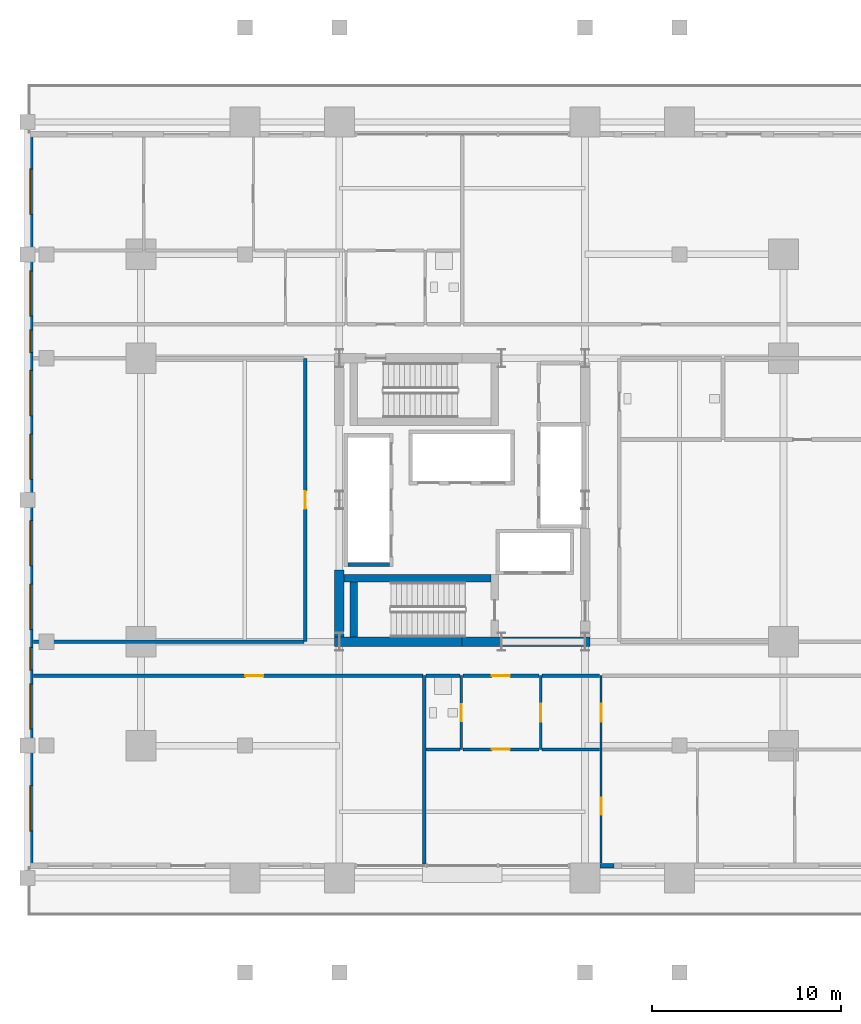
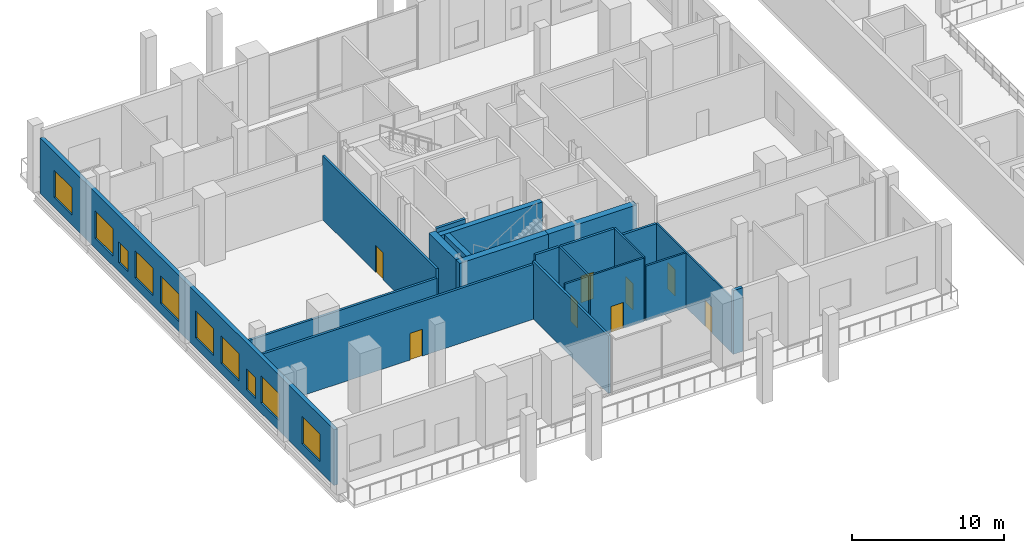
# One storey, part 11 of 22: 21 walls, 10 windows, 8 doors, 18 openings.
"""IFC4 building model written with IfcOpenShell, lengths in metres."""

from ifc_helpers import new_model, si_unit, direction, frame, frame_2d, origin, place, context, subcontext, project, spatial, rectangle, extrude, material, layer, layer_set, type_object, element, fill, save


model = new_model("IFC4")

# Units and contexts
model_context = context("Model", 3, precision=1e-05, world=origin(), true_north=direction((0.0, 1.0)))
body_context = subcontext(model_context, "Body", "Model", "MODEL_VIEW")
ifc_project = project(units=[si_unit("LENGTHUNIT", "METRE"), si_unit("AREAUNIT", "SQUARE_METRE"), si_unit("VOLUMEUNIT", "CUBIC_METRE"), si_unit("PLANEANGLEUNIT", "RADIAN"), si_unit("MASSUNIT", "GRAM", prefix="KILO")], contexts=[model_context])

# Site, building, storey
site_placement = place(None, origin())
site = spatial("IfcSite", under=ifc_project, at=site_placement, CompositionType="ELEMENT")
building_placement = place(site_placement, origin())
building = spatial("IfcBuilding", under=site, at=building_placement, Name="Barlavira Tower and Art Museum", CompositionType="ELEMENT")
storey_placement = place(building_placement, frame((0.0, 0.0, 16.800048828125)))
storey = spatial("IfcBuildingStorey", under=building, at=storey_placement, Name="L03", CompositionType="ELEMENT", Elevation=16.800048828125)

# Wall, opening, door
ifc_material_1 = material(Name="Gypsum acoustic stud partition", Category="gypsum")
ifc_layer_1 = layer(ifc_material_1, 0.1201171875, Name="Gypsum acoustic stud partition")
ifc_layer_set_1 = layer_set([ifc_layer_1], Name="Gypsum acoustic stud partition")
wall_type_1 = type_object("IfcWallType", Name="Apartment Internal Acoustic Partition 120", PredefinedType="PARTITIONING", material=ifc_layer_set_1)
wall_1_placement = place(storey_placement, frame((4.14990234375, -13.199951171875, 0.0), z_axis=(0.0, 0.0, 1.0), x_axis=(0.0, 1.0, 0.0)))
wall_1 = element("IfcWall", 1, at=wall_1_placement, inside=storey, type_object=wall_type_1, Name="L03 Partition Wall 11", PredefinedType="PARTITIONING", context=body_context, shape_type="SweptSolid", body=[
    extrude(rectangle(XDim=3.89990234375, YDim=0.1201171875, at=frame_2d((1.949951171875, 0.0))), origin(), (0.0, 0.0, 1.0), 5.119873046875),
])
opening_1_placement = place(wall_1_placement, frame((1.47509765625, 0.0, 0.0)))
opening_1 = element("IfcOpeningElement", 2, at=opening_1_placement, cuts=wall_1, Name="Opening D-02", PredefinedType="OPENING", context=body_context, shape_type="SweptSolid", body=[
    extrude(rectangle(XDim=0.949951171875, YDim=2.10009765625, at=frame_2d((0.47509765625, 1.050048828125))), frame((0.0, 0.070068359375, 0.0), z_axis=(0.0, -1.0, 0.0), x_axis=(1.0, 0.0, 0.0)), (0.0, 0.0, 1.0), 0.14013671875),
])
ifc_material_2 = material(Name="Engineered coastal hardwood", Category="wood")
door_type_1 = type_object("IfcDoorType", Name="Living and Salon Glazed-Leaf Door 950x2100", OperationType="NOTDEFINED", PredefinedType="DOOR", material=ifc_material_2)
door_1_placement = place(opening_1_placement, origin())
door_1 = element("IfcDoor", 3, at=door_1_placement, inside=storey, type_object=door_type_1, Name="Apartment P3-SE Kitchen Door", OperationType="SINGLE_SWING_RIGHT", OverallHeight=2.10009765625, OverallWidth=0.949951171875, PredefinedType="DOOR", context=body_context, shape_type="SweptSolid", body=[
    extrude(rectangle(XDim=0.949951171875, YDim=2.10009765625, at=frame_2d((0.47509765625, 1.050048828125))), frame((0.0, 0.02490234375, 0.0), z_axis=(0.0, -1.0, 0.0), x_axis=(1.0, 0.0, 0.0)), (0.0, 0.0, 1.0), 0.050048828125),
])
fill(opening_1, door_1)

# Wall, openings, doors
wall_2_placement = place(storey_placement, frame((7.35009765625, -19.219970703125, 0.0), z_axis=(0.0, 0.0, 1.0), x_axis=(0.0, 1.0, 0.0)))
wall_2 = element("IfcWall", 4, at=wall_2_placement, inside=storey, type_object=wall_type_1, Name="L03 Partition Wall 12", PredefinedType="PARTITIONING", context=body_context, shape_type="SweptSolid", body=[
    extrude(rectangle(XDim=9.919921875, YDim=0.1201171875, at=frame_2d((4.9599609375, 0.0))), origin(), (0.0, 0.0, 1.0), 4.409912109375),
])
opening_2_placement = place(wall_2_placement, frame((7.4951171875, 0.0, 0.0)))
opening_2 = element("IfcOpeningElement", 5, at=opening_2_placement, cuts=wall_2, Name="Opening D-02", PredefinedType="OPENING", context=body_context, shape_type="SweptSolid", body=[
    extrude(rectangle(XDim=0.949951171875, YDim=2.10009765625, at=frame_2d((0.47509765625, 1.050048828125))), frame((0.0, 0.070068359375, 0.0), z_axis=(0.0, -1.0, 0.0), x_axis=(1.0, 0.0, 0.0)), (0.0, 0.0, 1.0), 0.14013671875),
])
opening_3_placement = place(wall_2_placement, frame((2.570068359375, 0.0, 0.0)))
opening_3 = element("IfcOpeningElement", 6, at=opening_3_placement, cuts=wall_2, Name="Opening D-01", PredefinedType="OPENING", context=body_context, shape_type="SweptSolid", body=[
    extrude(rectangle(XDim=0.89990234375, YDim=2.10009765625, at=frame_2d((0.449951171875, 1.050048828125))), frame((0.0, 0.070068359375, 0.0), z_axis=(0.0, -1.0, 0.0), x_axis=(1.0, 0.0, 0.0)), (0.0, 0.0, 1.0), 0.14013671875),
])
door_type_2 = type_object("IfcDoorType", Name="Internal Bedroom Timber Flush Door 900x2100", OperationType="NOTDEFINED", PredefinedType="DOOR", material=ifc_material_2)
door_2_placement = place(opening_3_placement, origin())
door_2 = element("IfcDoor", 7, at=door_2_placement, inside=storey, type_object=door_type_2, Name="Apartment P3-SE Bedroom 1 Door", OperationType="SINGLE_SWING_LEFT", OverallHeight=2.10009765625, OverallWidth=0.89990234375, PredefinedType="DOOR", context=body_context, shape_type="SweptSolid", body=[
    extrude(rectangle(XDim=0.89990234375, YDim=2.10009765625, at=frame_2d((0.449951171875, 1.050048828125))), frame((0.0, 0.02490234375, 0.0), z_axis=(0.0, -1.0, 0.0), x_axis=(1.0, 0.0, 0.0)), (0.0, 0.0, 1.0), 0.050048828125),
])
fill(opening_3, door_2)
door_3_placement = place(opening_2_placement, origin())
door_3 = element("IfcDoor", 8, at=door_3_placement, inside=storey, type_object=door_type_1, Name="Apartment P3-SE Dining Salon Door", OperationType="SINGLE_SWING_LEFT", OverallHeight=2.10009765625, OverallWidth=0.949951171875, PredefinedType="DOOR", context=body_context, shape_type="SweptSolid", body=[
    extrude(rectangle(XDim=0.949951171875, YDim=2.10009765625, at=frame_2d((0.47509765625, 1.050048828125))), frame((0.0, 0.02490234375, 0.0), z_axis=(0.0, -1.0, 0.0), x_axis=(1.0, 0.0, 0.0)), (0.0, 0.0, 1.0), 0.050048828125),
])
fill(opening_2, door_3)

# Walls
ifc_material_3 = material(Name="Concrete C60", Category="concrete")
ifc_layer_2 = layer(ifc_material_3, 0.5, Name="Concrete C60")
ifc_layer_set_2 = layer_set([ifc_layer_2], Name="Concrete C60")
wall_type_2 = type_object("IfcWallType", Name="Core Structural Shear Wall 500 Concrete C60", PredefinedType="SHEAR", material=ifc_layer_set_2)
for number, where, z_axis, x_axis, name in (
    (9, (-6.75, -7.5, 0.0), (0.0, 0.0, 1.0), (1.0, 0.0, 0.0), "L03 Core Shear Wall CS-SW"),
    (10, (0.0, -7.5, 0.0), (0.0, 0.0, 1.0), (1.0, 0.0, 0.0), "L03 Core Shear Wall CS-SE"),
):
    element("IfcWall", number, at=place(storey_placement, frame(where, z_axis=z_axis, x_axis=x_axis)), inside=storey, type_object=wall_type_2, Name=name, PredefinedType="SHEAR", context=body_context, shape_type="SweptSolid", body=[
        extrude(rectangle(XDim=6.75, YDim=0.5, at=frame_2d((3.375, 0.0))), origin(), (0.0, 0.0, 1.0), 5.119873046875),
    ])
wall_3_placement = place(storey_placement, frame((-6.5, -7.25, 0.0), z_axis=(0.0, 0.0, 1.0), x_axis=(0.0, 1.0, 0.0)))
element("IfcWall", 11, at=wall_3_placement, inside=storey, type_object=wall_type_2, Name="L03 Core Shear Wall CS-W1", PredefinedType="SHEAR", context=body_context, shape_type="SweptSolid", body=[
    extrude(rectangle(XDim=3.550048828125, YDim=0.5, at=frame_2d((1.77490234375, 0.0))), origin(), (0.0, 0.0, 1.0), 5.119873046875),
])
ifc_material_4 = material(Name="Autoclaved aerated concrete masonry", Category="masonry")
ifc_layer_3 = layer(ifc_material_4, 0.199951171875, Name="Autoclaved aerated concrete masonry")
ifc_layer_set_3 = layer_set([ifc_layer_3], Name="Autoclaved aerated concrete masonry")
wall_type_3 = type_object("IfcWallType", Name="Fire Compartment and Shaft Wall 200", PredefinedType="SOLIDWALL", material=ifc_layer_set_3)
wall_4_placement = place(storey_placement, frame((-6.050048828125, -3.409912109375, 0.0), z_axis=(0.0, 0.0, 1.0), x_axis=(1.0, 0.0, 0.0)))
element("IfcWall", 12, at=wall_4_placement, inside=storey, type_object=wall_type_3, Name="L03 Low-Rise Lift South Shaft Wall", PredefinedType="SOLIDWALL", context=body_context, shape_type="SweptSolid", body=[
    extrude(rectangle(XDim=2.199951171875, YDim=0.199951171875, at=frame_2d((1.10009765625, 0.0))), origin(), (0.0, 0.0, 1.0), 5.119873046875),
])

# Wall, opening, door
ifc_layer_4 = layer(ifc_material_1, 0.179931640625, Name="Gypsum acoustic stud partition")
ifc_layer_set_4 = layer_set([ifc_layer_4], Name="Gypsum acoustic stud partition")
wall_type_4 = type_object("IfcWallType", Name="Inter-Tenancy Party Partition Wall 180", PredefinedType="PARTITIONING", material=ifc_layer_set_4)
wall_5_placement = place(storey_placement, frame((-8.300048828125, -7.5, 0.0), z_axis=(0.0, 0.0, 1.0), x_axis=(0.0, 1.0, 0.0)))
wall_5 = element("IfcWall", 13, at=wall_5_placement, inside=storey, type_object=wall_type_4, Name="L03 Partition Wall 4", PredefinedType="PARTITIONING", context=body_context, shape_type="SweptSolid", body=[
    extrude(rectangle(XDim=15.0, YDim=0.179931640625, at=frame_2d((7.5, 0.0))), origin(), (0.0, 0.0, 1.0), 5.119873046875),
])
opening_4_placement = place(wall_5_placement, frame((7.02490234375, 0.0, 0.0)))
opening_4 = element("IfcOpeningElement", 14, at=opening_4_placement, cuts=wall_5, Name="Opening FD-60", PredefinedType="OPENING", context=body_context, shape_type="SweptSolid", body=[
    extrude(rectangle(XDim=0.949951171875, YDim=2.14990234375, at=frame_2d((0.47509765625, 1.074951171875))), frame((0.0, 0.10009765625, 0.0), z_axis=(0.0, -1.0, 0.0), x_axis=(1.0, 0.0, 0.0)), (0.0, 0.0, 1.0), 0.199951171875),
])
ifc_material_5 = material(Name="Brushed stainless steel", Category="steel")
door_type_3 = type_object("IfcDoorType", Name="Apartment Entrance and Riser Fire Door 950x2150 FD60S", OperationType="NOTDEFINED", PredefinedType="DOOR", material=ifc_material_5)
door_4_placement = place(opening_4_placement, origin())
door_4 = element("IfcDoor", 15, at=door_4_placement, inside=storey, type_object=door_type_3, Name="L03 West Ocean-View Lounge Door", OperationType="SINGLE_SWING_RIGHT", OverallHeight=2.14990234375, OverallWidth=0.949951171875, PredefinedType="DOOR", context=body_context, shape_type="SweptSolid", body=[
    extrude(rectangle(XDim=0.949951171875, YDim=2.14990234375, at=frame_2d((0.47509765625, 1.074951171875))), frame((0.0, 0.02490234375, 0.0), z_axis=(0.0, -1.0, 0.0), x_axis=(1.0, 0.0, 0.0)), (0.0, 0.0, 1.0), 0.050048828125),
])
fill(opening_4, door_4)

# Wall
wall_6_placement = place(storey_placement, frame((-2.0, -19.2548828125, 0.0), z_axis=(0.0, 0.0, 1.0), x_axis=(0.0, 1.0, 0.0)))
element("IfcWall", 16, at=wall_6_placement, inside=storey, type_object=wall_type_4, Name="L03 Partition Wall 6", PredefinedType="PARTITIONING", context=body_context, shape_type="SweptSolid", body=[
    extrude(rectangle(XDim=9.954833984375, YDim=0.179931640625, at=frame_2d((4.9775390625, 0.0))), origin(), (0.0, 0.0, 1.0), 4.641845703125),
])

# Wall, opening, door
wall_7_placement = place(storey_placement, frame((-22.695068359375, -9.300048828125, 0.0), z_axis=(0.0, 0.0, 1.0), x_axis=(1.0, 0.0, 0.0)))
wall_7 = element("IfcWall", 17, at=wall_7_placement, inside=storey, type_object=wall_type_4, Name="L03 Partition Wall 31", PredefinedType="PARTITIONING", context=body_context, shape_type="SweptSolid", body=[
    extrude(rectangle(XDim=20.614990234375, YDim=0.179931640625, at=frame_2d((10.3076171875, 0.0))), origin(), (0.0, 0.0, 1.0), 4.409912109375),
])
opening_5_placement = place(wall_7_placement, frame((11.219970703125, 0.0, 0.0)))
opening_5 = element("IfcOpeningElement", 18, at=opening_5_placement, cuts=wall_7, Name="Opening FD-60", PredefinedType="OPENING", context=body_context, shape_type="SweptSolid", body=[
    extrude(rectangle(XDim=0.949951171875, YDim=2.14990234375, at=frame_2d((0.47509765625, 1.074951171875))), frame((0.0, 0.10009765625, 0.0), z_axis=(0.0, -1.0, 0.0), x_axis=(1.0, 0.0, 0.0)), (0.0, 0.0, 1.0), 0.199951171875),
])
door_5_placement = place(opening_5_placement, origin())
door_5 = element("IfcDoor", 19, at=door_5_placement, inside=storey, type_object=door_type_3, Name="Cascade Garden Architecture Reading Library Door", OperationType="SINGLE_SWING_LEFT", OverallHeight=2.14990234375, OverallWidth=0.949951171875, PredefinedType="DOOR", context=body_context, shape_type="SweptSolid", body=[
    extrude(rectangle(XDim=0.949951171875, YDim=2.14990234375, at=frame_2d((0.47509765625, 1.074951171875))), frame((0.0, 0.02490234375, 0.0), z_axis=(0.0, -1.0, 0.0), x_axis=(1.0, 0.0, 0.0)), (0.0, 0.0, 1.0), 0.050048828125),
])
fill(opening_5, door_5)

# Wall
wall_8_placement = place(storey_placement, frame((-1.919921875, -9.300048828125, 0.0), z_axis=(0.0, 0.0, 1.0), x_axis=(1.0, 0.0, 0.0)))
element("IfcWall", 20, at=wall_8_placement, inside=storey, type_object=wall_type_4, Name="L03 Partition Wall 32", PredefinedType="PARTITIONING", context=body_context, shape_type="SweptSolid", body=[
    extrude(rectangle(XDim=1.7900390625, YDim=0.179931640625, at=frame_2d((0.89501953125, 0.0))), origin(), (0.0, 0.0, 1.0), 5.119873046875),
])

# Wall, opening, door
wall_9_placement = place(storey_placement, frame((0.030029296875, -9.300048828125, 0.0), z_axis=(0.0, 0.0, 1.0), x_axis=(1.0, 0.0, 0.0)))
wall_9 = element("IfcWall", 21, at=wall_9_placement, inside=storey, type_object=wall_type_4, Name="L03 Partition Wall 33", PredefinedType="PARTITIONING", context=body_context, shape_type="SweptSolid", body=[
    extrude(rectangle(XDim=4.0400390625, YDim=0.179931640625, at=frame_2d((2.02001953125, 0.0))), origin(), (0.0, 0.0, 1.0), 5.119873046875),
])
opening_6_placement = place(wall_9_placement, frame((1.544921875, 0.0, 0.0)))
opening_6 = element("IfcOpeningElement", 22, at=opening_6_placement, cuts=wall_9, Name="Opening FD-60", PredefinedType="OPENING", context=body_context, shape_type="SweptSolid", body=[
    extrude(rectangle(XDim=0.949951171875, YDim=2.14990234375, at=frame_2d((0.47509765625, 1.074951171875))), frame((0.0, 0.10009765625, 0.0), z_axis=(0.0, -1.0, 0.0), x_axis=(1.0, 0.0, 0.0)), (0.0, 0.0, 1.0), 0.199951171875),
])
door_6_placement = place(opening_6_placement, origin())
door_6 = element("IfcDoor", 23, at=door_6_placement, inside=storey, type_object=door_type_3, Name="Apartment Entrance Hall P3-SE Door", OperationType="SINGLE_SWING_LEFT", OverallHeight=2.14990234375, OverallWidth=0.949951171875, PredefinedType="DOOR", context=body_context, shape_type="SweptSolid", body=[
    extrude(rectangle(XDim=0.949951171875, YDim=2.14990234375, at=frame_2d((0.47509765625, 1.074951171875))), frame((0.0, 0.02490234375, 0.0), z_axis=(0.0, -1.0, 0.0), x_axis=(1.0, 0.0, 0.0)), (0.0, 0.0, 1.0), 0.050048828125),
])
fill(opening_6, door_6)

# Walls
wall_10_placement = place(storey_placement, frame((4.22998046875, -9.300048828125, 0.0), z_axis=(0.0, 0.0, 1.0), x_axis=(1.0, 0.0, 0.0)))
element("IfcWall", 24, at=wall_10_placement, inside=storey, type_object=wall_type_4, Name="L03 Partition Wall 34", PredefinedType="PARTITIONING", context=body_context, shape_type="SweptSolid", body=[
    extrude(rectangle(XDim=3.0400390625, YDim=0.179931640625, at=frame_2d((1.52001953125, 0.0))), origin(), (0.0, 0.0, 1.0), 4.409912109375),
])
wall_11_placement = place(storey_placement, frame((-22.695068359375, -7.5, 0.0), z_axis=(0.0, 0.0, 1.0), x_axis=(1.0, 0.0, 0.0)))
element("IfcWall", 25, at=wall_11_placement, inside=storey, type_object=wall_type_4, Name="L03 Partition Wall 36", PredefinedType="PARTITIONING", context=body_context, shape_type="SweptSolid", body=[
    extrude(rectangle(XDim=14.315185546875, YDim=0.179931640625, at=frame_2d((7.15771484375, 0.0))), origin(), (0.0, 0.0, 1.0), 4.409912109375),
])

# Wall, opening, door
ifc_layer_5 = layer(ifc_material_1, 0.139892578125, Name="Gypsum acoustic stud partition")
ifc_layer_set_5 = layer_set([ifc_layer_5], Name="Gypsum acoustic stud partition")
wall_type_5 = type_object("IfcWallType", Name="Moisture-Resistant Bathroom Partition 140", PredefinedType="PARTITIONING", material=ifc_layer_set_5)
wall_12_placement = place(storey_placement, frame((-0.050048828125, -13.199951171875, 0.0), z_axis=(0.0, 0.0, 1.0), x_axis=(0.0, 1.0, 0.0)))
wall_12 = element("IfcWall", 26, at=wall_12_placement, inside=storey, type_object=wall_type_5, Name="L03 Partition Wall 8", PredefinedType="PARTITIONING", context=body_context, shape_type="SweptSolid", body=[
    extrude(rectangle(XDim=3.89990234375, YDim=0.139892578125, at=frame_2d((1.949951171875, 0.0))), origin(), (0.0, 0.0, 1.0), 5.119873046875),
])
opening_7_placement = place(wall_12_placement, frame((1.5, 0.0, 0.0)))
opening_7 = element("IfcOpeningElement", 27, at=opening_7_placement, cuts=wall_12, Name="Opening D-WC", PredefinedType="OPENING", context=body_context, shape_type="SweptSolid", body=[
    extrude(rectangle(XDim=0.89990234375, YDim=2.10009765625, at=frame_2d((0.449951171875, 1.050048828125))), frame((0.0, 0.080078125, 0.0), z_axis=(0.0, -1.0, 0.0), x_axis=(1.0, 0.0, 0.0)), (0.0, 0.0, 1.0), 0.159912109375),
])
door_type_4 = type_object("IfcDoorType", Name="Accessible Bathroom Flush Door 900x2100", OperationType="NOTDEFINED", PredefinedType="DOOR", material=ifc_material_2)
door_7_placement = place(opening_7_placement, origin())
door_7 = element("IfcDoor", 28, at=door_7_placement, inside=storey, type_object=door_type_4, Name="Apartment P3-SE Hall Bathroom Door", OperationType="SINGLE_SWING_RIGHT", OverallHeight=2.10009765625, OverallWidth=0.89990234375, PredefinedType="DOOR", context=body_context, shape_type="SweptSolid", body=[
    extrude(rectangle(XDim=0.89990234375, YDim=2.10009765625, at=frame_2d((0.449951171875, 1.050048828125))), frame((0.0, 0.02490234375, 0.0), z_axis=(0.0, -1.0, 0.0), x_axis=(1.0, 0.0, 0.0)), (0.0, 0.0, 1.0), 0.050048828125),
])
fill(opening_7, door_7)

# Wall
wall_13_placement = place(storey_placement, frame((-1.919921875, -13.199951171875, 0.0), z_axis=(0.0, 0.0, 1.0), x_axis=(1.0, 0.0, 0.0)))
element("IfcWall", 29, at=wall_13_placement, inside=storey, type_object=wall_type_5, Name="L03 Partition Wall 24", PredefinedType="PARTITIONING", context=body_context, shape_type="SweptSolid", body=[
    extrude(rectangle(XDim=1.7900390625, YDim=0.139892578125, at=frame_2d((0.89501953125, 0.0))), origin(), (0.0, 0.0, 1.0), 5.119873046875),
])

# Wall, opening, door
wall_14_placement = place(storey_placement, frame((0.030029296875, -13.199951171875, 0.0), z_axis=(0.0, 0.0, 1.0), x_axis=(1.0, 0.0, 0.0)))
wall_14 = element("IfcWall", 30, at=wall_14_placement, inside=storey, type_object=wall_type_5, Name="L03 Partition Wall 25", PredefinedType="PARTITIONING", context=body_context, shape_type="SweptSolid", body=[
    extrude(rectangle(XDim=4.0400390625, YDim=0.139892578125, at=frame_2d((2.02001953125, 0.0))), origin(), (0.0, 0.0, 1.0), 5.119873046875),
])
opening_8_placement = place(wall_14_placement, frame((1.544921875, 0.0, 0.0)))
opening_8 = element("IfcOpeningElement", 31, at=opening_8_placement, cuts=wall_14, Name="Opening D-02", PredefinedType="OPENING", context=body_context, shape_type="SweptSolid", body=[
    extrude(rectangle(XDim=0.949951171875, YDim=2.10009765625, at=frame_2d((0.47509765625, 1.050048828125))), frame((0.0, 0.080078125, 0.0), z_axis=(0.0, -1.0, 0.0), x_axis=(1.0, 0.0, 0.0)), (0.0, 0.0, 1.0), 0.159912109375),
])
door_8_placement = place(opening_8_placement, origin())
door_8 = element("IfcDoor", 32, at=door_8_placement, inside=storey, type_object=door_type_1, Name="Apartment P3-SE Living Lounge Door", OperationType="SINGLE_SWING_RIGHT", OverallHeight=2.10009765625, OverallWidth=0.949951171875, PredefinedType="DOOR", context=body_context, shape_type="SweptSolid", body=[
    extrude(rectangle(XDim=0.949951171875, YDim=2.10009765625, at=frame_2d((0.47509765625, 1.050048828125))), frame((0.0, 0.02490234375, 0.0), z_axis=(0.0, -1.0, 0.0), x_axis=(1.0, 0.0, 0.0)), (0.0, 0.0, 1.0), 0.050048828125),
])
fill(opening_8, door_8)

# Walls
wall_15_placement = place(storey_placement, frame((4.22998046875, -13.199951171875, 0.0), z_axis=(0.0, 0.0, 1.0), x_axis=(1.0, 0.0, 0.0)))
element("IfcWall", 33, at=wall_15_placement, inside=storey, type_object=wall_type_5, Name="L03 Partition Wall 26", PredefinedType="PARTITIONING", context=body_context, shape_type="SweptSolid", body=[
    extrude(rectangle(XDim=3.0400390625, YDim=0.139892578125, at=frame_2d((1.52001953125, 0.0))), origin(), (0.0, 0.0, 1.0), 4.409912109375),
])
ifc_material_6 = material(Name="Precast concrete C40", Category="concrete")
ifc_layer_6 = layer(ifc_material_6, 0.25, Name="Precast concrete C40")
ifc_layer_set_6 = layer_set([ifc_layer_6], Name="Precast concrete C40")
wall_type_6 = type_object("IfcWallType", Name="Notched Corner Spandrel Wall 250 Precast Concrete C40", PredefinedType="SOLIDWALL", material=ifc_layer_set_6)
wall_16_placement = place(storey_placement, frame((7.294921875, -19.35009765625, 0.0), z_axis=(0.0, 0.0, 1.0), x_axis=(1.0, 0.0, 0.0)))
element("IfcWall", 34, at=wall_16_placement, inside=storey, type_object=wall_type_6, Name="L03 Coastal Facade Pier Wall CW1-L03-S-3", PredefinedType="SOLIDWALL", context=body_context, shape_type="SweptSolid", body=[
    extrude(rectangle(XDim=0.72998046875, YDim=0.25, at=frame_2d((0.364990234375, 0.0))), origin(), (0.0, 0.0, 1.0), 5.119873046875),
])

# Wall, openings, windows
ifc_layer_7 = layer(ifc_material_6, 0.300048828125, Name="Precast concrete C40")
ifc_layer_set_7 = layer_set([ifc_layer_7], Name="Precast concrete C40")
wall_type_7 = type_object("IfcWallType", Name="Podium Architectural Precast Facade Wall 300 Concrete C40", PredefinedType="SOLIDWALL", material=ifc_layer_set_7)
wall_17_placement = place(storey_placement, frame((-22.85009765625, 19.35009765625, 0.0), z_axis=(0.0, 0.0, 1.0), x_axis=(0.0, -1.0, 0.0)))
wall_17 = element("IfcWall", 35, at=wall_17_placement, inside=storey, type_object=wall_type_7, Name="L03 Podium West Facade Wall", PredefinedType="SOLIDWALL", context=body_context, shape_type="SweptSolid", body=[
    extrude(rectangle(XDim=38.7001953125, YDim=0.300048828125, at=frame_2d((19.35009765625, 0.0))), origin(), (0.0, 0.0, 1.0), 4.475830078125),
])
opening_9_placement = place(wall_17_placement, frame((1.830078125, 0.0, 0.800048828125)))
opening_9 = element("IfcOpeningElement", 36, at=opening_9_placement, cuts=wall_17, Name="Opening WN-02", PredefinedType="OPENING", context=body_context, shape_type="SweptSolid", body=[
    extrude(rectangle(XDim=2.39990234375, YDim=2.199951171875, at=frame_2d((1.199951171875, 1.10009765625))), frame((0.0, 0.16015625, 0.0), z_axis=(0.0, -1.0, 0.0), x_axis=(1.0, 0.0, 0.0)), (0.0, 0.0, 1.0), 0.320068359375),
])
opening_10_placement = place(wall_17_placement, frame((7.219970703125, 0.0, 0.800048828125)))
opening_10 = element("IfcOpeningElement", 37, at=opening_10_placement, cuts=wall_17, Name="Opening WN-02", PredefinedType="OPENING", context=body_context, shape_type="SweptSolid", body=[
    extrude(rectangle(XDim=2.39990234375, YDim=2.199951171875, at=frame_2d((1.199951171875, 1.10009765625))), frame((0.0, 0.16015625, 0.0), z_axis=(0.0, -1.0, 0.0), x_axis=(1.0, 0.0, 0.0)), (0.0, 0.0, 1.0), 0.320068359375),
])
opening_11_placement = place(wall_17_placement, frame((10.35009765625, 0.0, 0.719970703125)))
opening_11 = element("IfcOpeningElement", 38, at=opening_11_placement, cuts=wall_17, Name="Opening WN-05", PredefinedType="OPENING", context=body_context, shape_type="SweptSolid", body=[
    extrude(rectangle(XDim=1.199951171875, YDim=1.679931640625, at=frame_2d((0.60009765625, 0.83984375))), frame((0.0, 0.16015625, 0.0), z_axis=(0.0, -1.0, 0.0), x_axis=(1.0, 0.0, 0.0)), (0.0, 0.0, 1.0), 0.320068359375),
])
opening_12_placement = place(wall_17_placement, frame((12.4951171875, 0.0, 0.800048828125)))
opening_12 = element("IfcOpeningElement", 39, at=opening_12_placement, cuts=wall_17, Name="Opening WN-02", PredefinedType="OPENING", context=body_context, shape_type="SweptSolid", body=[
    extrude(rectangle(XDim=2.39990234375, YDim=2.199951171875, at=frame_2d((1.199951171875, 1.10009765625))), frame((0.0, 0.16015625, 0.0), z_axis=(0.0, -1.0, 0.0), x_axis=(1.0, 0.0, 0.0)), (0.0, 0.0, 1.0), 0.320068359375),
])
opening_13_placement = place(wall_17_placement, frame((15.864990234375, 0.0, 0.800048828125)))
opening_13 = element("IfcOpeningElement", 40, at=opening_13_placement, cuts=wall_17, Name="Opening WN-02", PredefinedType="OPENING", context=body_context, shape_type="SweptSolid", body=[
    extrude(rectangle(XDim=2.39990234375, YDim=2.199951171875, at=frame_2d((1.199951171875, 1.10009765625))), frame((0.0, 0.16015625, 0.0), z_axis=(0.0, -1.0, 0.0), x_axis=(1.0, 0.0, 0.0)), (0.0, 0.0, 1.0), 0.320068359375),
])
opening_14_placement = place(wall_17_placement, frame((20.43505859375, 0.0, 0.800048828125)))
opening_14 = element("IfcOpeningElement", 41, at=opening_14_placement, cuts=wall_17, Name="Opening WN-02", PredefinedType="OPENING", context=body_context, shape_type="SweptSolid", body=[
    extrude(rectangle(XDim=2.39990234375, YDim=2.199951171875, at=frame_2d((1.199951171875, 1.10009765625))), frame((0.0, 0.16015625, 0.0), z_axis=(0.0, -1.0, 0.0), x_axis=(1.0, 0.0, 0.0)), (0.0, 0.0, 1.0), 0.320068359375),
])
opening_15_placement = place(wall_17_placement, frame((23.804931640625, 0.0, 0.800048828125)))
opening_15 = element("IfcOpeningElement", 42, at=opening_15_placement, cuts=wall_17, Name="Opening WN-02", PredefinedType="OPENING", context=body_context, shape_type="SweptSolid", body=[
    extrude(rectangle(XDim=2.39990234375, YDim=2.199951171875, at=frame_2d((1.199951171875, 1.10009765625))), frame((0.0, 0.16015625, 0.0), z_axis=(0.0, -1.0, 0.0), x_axis=(1.0, 0.0, 0.0)), (0.0, 0.0, 1.0), 0.320068359375),
])
opening_16_placement = place(wall_17_placement, frame((27.14990234375, 0.0, 0.719970703125)))
opening_16 = element("IfcOpeningElement", 43, at=opening_16_placement, cuts=wall_17, Name="Opening WN-05", PredefinedType="OPENING", context=body_context, shape_type="SweptSolid", body=[
    extrude(rectangle(XDim=1.199951171875, YDim=1.679931640625, at=frame_2d((0.60009765625, 0.83984375))), frame((0.0, 0.16015625, 0.0), z_axis=(0.0, -1.0, 0.0), x_axis=(1.0, 0.0, 0.0)), (0.0, 0.0, 1.0), 0.320068359375),
])
opening_17_placement = place(wall_17_placement, frame((29.080078125, 0.0, 0.800048828125)))
opening_17 = element("IfcOpeningElement", 44, at=opening_17_placement, cuts=wall_17, Name="Opening WN-02", PredefinedType="OPENING", context=body_context, shape_type="SweptSolid", body=[
    extrude(rectangle(XDim=2.39990234375, YDim=2.199951171875, at=frame_2d((1.199951171875, 1.10009765625))), frame((0.0, 0.16015625, 0.0), z_axis=(0.0, -1.0, 0.0), x_axis=(1.0, 0.0, 0.0)), (0.0, 0.0, 1.0), 0.320068359375),
])
opening_18_placement = place(wall_17_placement, frame((34.469970703125, 0.0, 0.800048828125)))
opening_18 = element("IfcOpeningElement", 45, at=opening_18_placement, cuts=wall_17, Name="Opening WN-02", PredefinedType="OPENING", context=body_context, shape_type="SweptSolid", body=[
    extrude(rectangle(XDim=2.39990234375, YDim=2.199951171875, at=frame_2d((1.199951171875, 1.10009765625))), frame((0.0, 0.16015625, 0.0), z_axis=(0.0, -1.0, 0.0), x_axis=(1.0, 0.0, 0.0)), (0.0, 0.0, 1.0), 0.320068359375),
])
ifc_material_7 = material(Name="Low-iron coastal laminated glass", Category="glass")
window_type_1 = type_object("IfcWindowType", Name="Podium Garden Gallery Window 2400x2200", PartitioningType="SINGLE_PANEL", PredefinedType="WINDOW", material=ifc_material_7)
window_1_placement = place(opening_9_placement, origin())
window_1 = element("IfcWindow", 46, at=window_1_placement, inside=storey, type_object=window_type_1, Name="L03 Punched Facade Window EW-L03-W-1", OverallHeight=2.199951171875, OverallWidth=2.39990234375, PartitioningType="SINGLE_PANEL", PredefinedType="WINDOW", context=body_context, shape_type="SweptSolid", body=[
    extrude(rectangle(XDim=2.39990234375, YDim=2.199951171875, at=frame_2d((1.199951171875, 1.10009765625))), frame((0.0, 0.030029296875, 0.0), z_axis=(0.0, -1.0, 0.0), x_axis=(1.0, 0.0, 0.0)), (0.0, 0.0, 1.0), 0.06005859375),
])
fill(opening_9, window_1)
window_2_placement = place(opening_10_placement, origin())
window_2 = element("IfcWindow", 47, at=window_2_placement, inside=storey, type_object=window_type_1, Name="L03 Punched Facade Window EW-L03-W-2", OverallHeight=2.199951171875, OverallWidth=2.39990234375, PartitioningType="SINGLE_PANEL", PredefinedType="WINDOW", context=body_context, shape_type="SweptSolid", body=[
    extrude(rectangle(XDim=2.39990234375, YDim=2.199951171875, at=frame_2d((1.199951171875, 1.10009765625))), frame((0.0, 0.030029296875, 0.0), z_axis=(0.0, -1.0, 0.0), x_axis=(1.0, 0.0, 0.0)), (0.0, 0.0, 1.0), 0.06005859375),
])
fill(opening_10, window_2)
window_3_placement = place(opening_12_placement, origin())
window_3 = element("IfcWindow", 48, at=window_3_placement, inside=storey, type_object=window_type_1, Name="L03 Punched Facade Window EW-L03-W-4", OverallHeight=2.199951171875, OverallWidth=2.39990234375, PartitioningType="SINGLE_PANEL", PredefinedType="WINDOW", context=body_context, shape_type="SweptSolid", body=[
    extrude(rectangle(XDim=2.39990234375, YDim=2.199951171875, at=frame_2d((1.199951171875, 1.10009765625))), frame((0.0, 0.030029296875, 0.0), z_axis=(0.0, -1.0, 0.0), x_axis=(1.0, 0.0, 0.0)), (0.0, 0.0, 1.0), 0.06005859375),
])
fill(opening_12, window_3)
window_4_placement = place(opening_13_placement, origin())
window_4 = element("IfcWindow", 49, at=window_4_placement, inside=storey, type_object=window_type_1, Name="L03 Punched Facade Window EW-L03-W-5", OverallHeight=2.199951171875, OverallWidth=2.39990234375, PartitioningType="SINGLE_PANEL", PredefinedType="WINDOW", context=body_context, shape_type="SweptSolid", body=[
    extrude(rectangle(XDim=2.39990234375, YDim=2.199951171875, at=frame_2d((1.199951171875, 1.10009765625))), frame((0.0, 0.030029296875, 0.0), z_axis=(0.0, -1.0, 0.0), x_axis=(1.0, 0.0, 0.0)), (0.0, 0.0, 1.0), 0.06005859375),
])
fill(opening_13, window_4)
window_5_placement = place(opening_14_placement, origin())
window_5 = element("IfcWindow", 50, at=window_5_placement, inside=storey, type_object=window_type_1, Name="L03 Punched Facade Window EW-L03-W-6", OverallHeight=2.199951171875, OverallWidth=2.39990234375, PartitioningType="SINGLE_PANEL", PredefinedType="WINDOW", context=body_context, shape_type="SweptSolid", body=[
    extrude(rectangle(XDim=2.39990234375, YDim=2.199951171875, at=frame_2d((1.199951171875, 1.10009765625))), frame((0.0, 0.030029296875, 0.0), z_axis=(0.0, -1.0, 0.0), x_axis=(1.0, 0.0, 0.0)), (0.0, 0.0, 1.0), 0.06005859375),
])
fill(opening_14, window_5)
window_6_placement = place(opening_15_placement, origin())
window_6 = element("IfcWindow", 51, at=window_6_placement, inside=storey, type_object=window_type_1, Name="L03 Punched Facade Window EW-L03-W-7", OverallHeight=2.199951171875, OverallWidth=2.39990234375, PartitioningType="SINGLE_PANEL", PredefinedType="WINDOW", context=body_context, shape_type="SweptSolid", body=[
    extrude(rectangle(XDim=2.39990234375, YDim=2.199951171875, at=frame_2d((1.199951171875, 1.10009765625))), frame((0.0, 0.030029296875, 0.0), z_axis=(0.0, -1.0, 0.0), x_axis=(1.0, 0.0, 0.0)), (0.0, 0.0, 1.0), 0.06005859375),
])
fill(opening_15, window_6)
window_7_placement = place(opening_17_placement, origin())
window_7 = element("IfcWindow", 52, at=window_7_placement, inside=storey, type_object=window_type_1, Name="L03 Punched Facade Window EW-L03-W-9", OverallHeight=2.199951171875, OverallWidth=2.39990234375, PartitioningType="SINGLE_PANEL", PredefinedType="WINDOW", context=body_context, shape_type="SweptSolid", body=[
    extrude(rectangle(XDim=2.39990234375, YDim=2.199951171875, at=frame_2d((1.199951171875, 1.10009765625))), frame((0.0, 0.030029296875, 0.0), z_axis=(0.0, -1.0, 0.0), x_axis=(1.0, 0.0, 0.0)), (0.0, 0.0, 1.0), 0.06005859375),
])
fill(opening_17, window_7)
window_8_placement = place(opening_18_placement, origin())
window_8 = element("IfcWindow", 53, at=window_8_placement, inside=storey, type_object=window_type_1, Name="L03 Punched Facade Window EW-L03-W-10", OverallHeight=2.199951171875, OverallWidth=2.39990234375, PartitioningType="SINGLE_PANEL", PredefinedType="WINDOW", context=body_context, shape_type="SweptSolid", body=[
    extrude(rectangle(XDim=2.39990234375, YDim=2.199951171875, at=frame_2d((1.199951171875, 1.10009765625))), frame((0.0, 0.030029296875, 0.0), z_axis=(0.0, -1.0, 0.0), x_axis=(1.0, 0.0, 0.0)), (0.0, 0.0, 1.0), 0.06005859375),
])
fill(opening_18, window_8)
window_type_2 = type_object("IfcWindowType", Name="Recessed Flank Pier Punch Window 1200x1680", PartitioningType="SINGLE_PANEL", PredefinedType="WINDOW", material=ifc_material_7)
window_9_placement = place(opening_11_placement, origin())
window_9 = element("IfcWindow", 54, at=window_9_placement, inside=storey, type_object=window_type_2, Name="L03 Punched Facade Window EW-L03-W-3", OverallHeight=1.679931640625, OverallWidth=1.199951171875, PartitioningType="SINGLE_PANEL", PredefinedType="WINDOW", context=body_context, shape_type="SweptSolid", body=[
    extrude(rectangle(XDim=1.199951171875, YDim=1.679931640625, at=frame_2d((0.60009765625, 0.83984375))), frame((0.0, 0.030029296875, 0.0), z_axis=(0.0, -1.0, 0.0), x_axis=(1.0, 0.0, 0.0)), (0.0, 0.0, 1.0), 0.06005859375),
])
fill(opening_11, window_9)
window_10_placement = place(opening_16_placement, origin())
window_10 = element("IfcWindow", 55, at=window_10_placement, inside=storey, type_object=window_type_2, Name="L03 Punched Facade Window EW-L03-W-8", OverallHeight=1.679931640625, OverallWidth=1.199951171875, PartitioningType="SINGLE_PANEL", PredefinedType="WINDOW", context=body_context, shape_type="SweptSolid", body=[
    extrude(rectangle(XDim=1.199951171875, YDim=1.679931640625, at=frame_2d((0.60009765625, 0.83984375))), frame((0.0, 0.030029296875, 0.0), z_axis=(0.0, -1.0, 0.0), x_axis=(1.0, 0.0, 0.0)), (0.0, 0.0, 1.0), 0.06005859375),
])
fill(opening_16, window_10)

# Walls
ifc_material_8 = material(Name="Concrete C55", Category="concrete")
ifc_layer_8 = layer(ifc_material_8, 0.39990234375, Name="Concrete C55")
ifc_layer_set_8 = layer_set([ifc_layer_8], Name="Concrete C55")
wall_type_8 = type_object("IfcWallType", Name="Upper Core Shear Wall 400 Concrete C55", PredefinedType="SHEAR", material=ifc_layer_set_8)
wall_18_placement = place(storey_placement, frame((-5.75, -7.25, 0.0), z_axis=(0.0, 0.0, 1.0), x_axis=(0.0, 1.0, 0.0)))
element("IfcWall", 56, at=wall_18_placement, inside=storey, type_object=wall_type_8, Name="L03 ST-T1 West Half-Landing Wall", PredefinedType="SHEAR", context=body_context, shape_type="SweptSolid", body=[
    extrude(rectangle(XDim=2.89990234375, YDim=0.39990234375, at=frame_2d((1.449951171875, 0.0))), origin(), (0.0, 0.0, 1.0), 5.119873046875),
])
wall_19_placement = place(storey_placement, frame((-6.25, -4.14990234375, 0.0), z_axis=(0.0, 0.0, 1.0), x_axis=(1.0, 0.0, 0.0)))
element("IfcWall", 57, at=wall_19_placement, inside=storey, type_object=wall_type_8, Name="L03 ST-T1 North Shaft Wall", PredefinedType="SHEAR", context=body_context, shape_type="SweptSolid", body=[
    extrude(rectangle(XDim=7.780029296875, YDim=0.39990234375, at=frame_2d((3.89013671875, 0.0))), origin(), (0.0, 0.0, 1.0), 5.119873046875),
])

save(model, "model.ifc")
